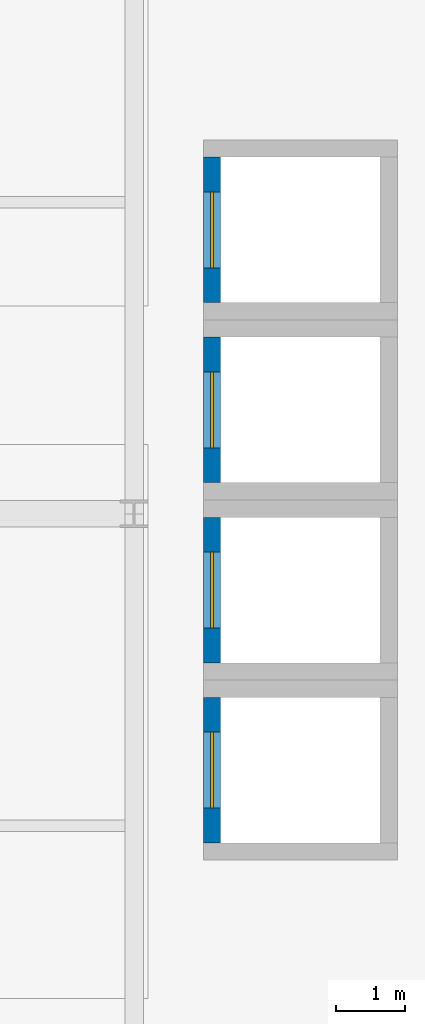
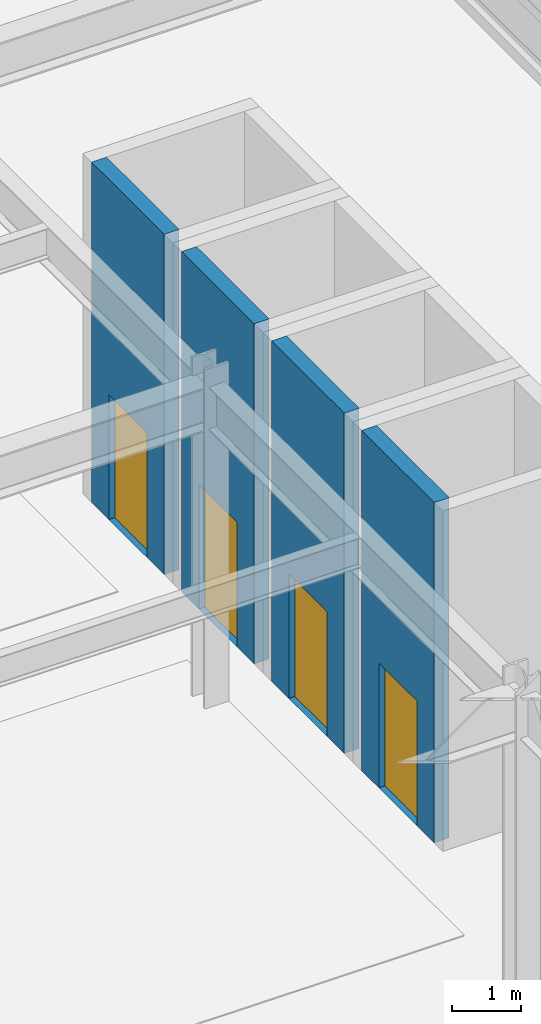
# One storey, part 85 of 105: 4 doors, 4 walls, 4 openings.
"""IFC4 building model written with IfcOpenShell, lengths in metres."""

from ifc_helpers import new_model, si_unit, direction, frame, frame_2d, origin, place, context, subcontext, project, spatial, rectangle, extrude, material, layer, layer_set, type_object, element, fill, save


model = new_model("IFC4")

# Units and contexts
model_context = context("Model", 3, precision=1e-05, world=origin(), true_north=direction((0.0, 1.0)))
body_context = subcontext(model_context, "Body", "Model", "MODEL_VIEW")
ifc_project = project(units=[si_unit("LENGTHUNIT", "METRE"), si_unit("AREAUNIT", "SQUARE_METRE"), si_unit("VOLUMEUNIT", "CUBIC_METRE"), si_unit("PLANEANGLEUNIT", "RADIAN"), si_unit("MASSUNIT", "GRAM", prefix="KILO")], contexts=[model_context])

# Site, building, storey
site_placement = place(None, origin())
site = spatial("IfcSite", under=ifc_project, at=site_placement, CompositionType="ELEMENT")
building_placement = place(site_placement, origin())
building = spatial("IfcBuilding", under=site, at=building_placement, Name="Kaldorvane Square Convention Centre", CompositionType="ELEMENT")
storey_placement = place(building_placement, frame((0.0, 0.0, 6.0)))
storey = spatial("IfcBuildingStorey", under=building, at=storey_placement, Name="L01", CompositionType="ELEMENT", Elevation=6.0)

# Wall, opening, door
ifc_material_1 = material(Name="Concrete f'c = 55 MPa (Normalweight)", Category="concrete")
ifc_layer = layer(ifc_material_1, 0.3000030517578125)
ifc_layer_set = layer_set([ifc_layer], Name="Concrete f'c = 55 MPa (Normalweight)")
wall_type = type_object("IfcWallType", Name="WL-SHAFT-300", PredefinedType="SHEAR", material=ifc_layer_set)
wall_1_placement = place(storey_placement, frame((127.125, 42.350006103515625, 0.0), z_axis=(0.0, 0.0, 1.0), x_axis=(0.0, -1.0, 0.0)))
wall_1 = element("IfcWall", 1, at=wall_1_placement, inside=storey, type_object=wall_type, Name="Core Enclosure Wall lift:EL-C1-W (L01)", PredefinedType="SHEAR", context=body_context, shape_type="SweptSolid", body=[
    extrude(rectangle(XDim=2.100006103515625, YDim=0.25, at=frame_2d((1.0500030517578125, 0.0))), origin(), (0.0, 0.0, 1.0), 6.0),
])
opening_1_placement = place(wall_1_placement, frame((0.5, 0.0, 0.0)))
opening_1 = element("IfcOpeningElement", 2, at=opening_1_placement, cuts=wall_1, Name="Opening LD-01", PredefinedType="OPENING", context=body_context, shape_type="SweptSolid", body=[
    extrude(rectangle(XDim=1.100006103515625, YDim=2.1999969482421875, at=frame_2d((0.5500030517578125, 1.100006103515625))), frame((0.0, 0.1399993896484375, 0.0), z_axis=(0.0, -1.0, 0.0), x_axis=(1.0, 0.0, 0.0)), (0.0, 0.0, 1.0), 0.279998779296875),
])
ifc_material_2 = material(Name="Stainless Steel Elevator Door Assembly", Category="steel")
door_type = type_object("IfcDoorType", Name="DR-LIFT-1100", OperationType="DOUBLE_DOOR_SLIDING", PredefinedType="DOOR", material=ifc_material_2)
door_1_placement = place(opening_1_placement, origin())
door_1 = element("IfcDoor", 3, at=door_1_placement, inside=storey, type_object=door_type, Name="Elevator Landing Door EL-C1 (L01)", OperationType="DOUBLE_DOOR_SLIDING", OverallHeight=2.1999969482421875, OverallWidth=1.100006103515625, PredefinedType="DOOR", context=body_context, shape_type="SweptSolid", body=[
    extrude(rectangle(XDim=1.100006103515625, YDim=2.1999969482421875, at=frame_2d((0.5500030517578125, 1.100006103515625))), frame((0.0, 0.024993896484375, 0.0), z_axis=(0.0, -1.0, 0.0), x_axis=(1.0, 0.0, 0.0)), (0.0, 0.0, 1.0), 0.0500030517578125),
])
fill(opening_1, door_1)

wall_2_placement = place(storey_placement, frame((127.125, 44.94999694824219, 0.0), z_axis=(0.0, 0.0, 1.0), x_axis=(0.0, -1.0, 0.0)))
wall_2 = element("IfcWall", 4, at=wall_2_placement, inside=storey, type_object=wall_type, Name="Core Enclosure Wall lift:EL-C2-W (L01)", PredefinedType="SHEAR", context=body_context, shape_type="SweptSolid", body=[
    extrude(rectangle(XDim=2.0999908447265625, YDim=0.25, at=frame_2d((1.04998779296875, 0.0))), origin(), (0.0, 0.0, 1.0), 6.0),
])
opening_2_placement = place(wall_2_placement, frame((0.5, 0.0, 0.0)))
opening_2 = element("IfcOpeningElement", 5, at=opening_2_placement, cuts=wall_2, Name="Opening LD-01", PredefinedType="OPENING", context=body_context, shape_type="SweptSolid", body=[
    extrude(rectangle(XDim=1.100006103515625, YDim=2.1999969482421875, at=frame_2d((0.5500030517578125, 1.100006103515625))), frame((0.0, 0.1399993896484375, 0.0), z_axis=(0.0, -1.0, 0.0), x_axis=(1.0, 0.0, 0.0)), (0.0, 0.0, 1.0), 0.279998779296875),
])
door_2_placement = place(opening_2_placement, origin())
door_2 = element("IfcDoor", 6, at=door_2_placement, inside=storey, type_object=door_type, Name="Elevator Landing Door EL-C2 (L01)", OperationType="DOUBLE_DOOR_SLIDING", OverallHeight=2.1999969482421875, OverallWidth=1.100006103515625, PredefinedType="DOOR", context=body_context, shape_type="SweptSolid", body=[
    extrude(rectangle(XDim=1.100006103515625, YDim=2.1999969482421875, at=frame_2d((0.5500030517578125, 1.100006103515625))), frame((0.0, 0.024993896484375, 0.0), z_axis=(0.0, -1.0, 0.0), x_axis=(1.0, 0.0, 0.0)), (0.0, 0.0, 1.0), 0.0500030517578125),
])
fill(opening_2, door_2)

wall_3_placement = place(storey_placement, frame((127.125, 47.55000305175781, 0.0), z_axis=(0.0, 0.0, 1.0), x_axis=(0.0, -1.0, 0.0)))
wall_3 = element("IfcWall", 7, at=wall_3_placement, inside=storey, type_object=wall_type, Name="Core Enclosure Wall lift:EL-C3-W (L01)", PredefinedType="SHEAR", context=body_context, shape_type="SweptSolid", body=[
    extrude(rectangle(XDim=2.100006103515625, YDim=0.25, at=frame_2d((1.0500030517578125, 0.0))), origin(), (0.0, 0.0, 1.0), 6.0),
])
opening_3_placement = place(wall_3_placement, frame((0.5, 0.0, 0.0)))
opening_3 = element("IfcOpeningElement", 8, at=opening_3_placement, cuts=wall_3, Name="Opening LD-01", PredefinedType="OPENING", context=body_context, shape_type="SweptSolid", body=[
    extrude(rectangle(XDim=1.100006103515625, YDim=2.1999969482421875, at=frame_2d((0.5500030517578125, 1.100006103515625))), frame((0.0, 0.1399993896484375, 0.0), z_axis=(0.0, -1.0, 0.0), x_axis=(1.0, 0.0, 0.0)), (0.0, 0.0, 1.0), 0.279998779296875),
])
door_3_placement = place(opening_3_placement, origin())
door_3 = element("IfcDoor", 9, at=door_3_placement, inside=storey, type_object=door_type, Name="Elevator Landing Door EL-C3 (L01)", OperationType="DOUBLE_DOOR_SLIDING", OverallHeight=2.1999969482421875, OverallWidth=1.100006103515625, PredefinedType="DOOR", context=body_context, shape_type="SweptSolid", body=[
    extrude(rectangle(XDim=1.100006103515625, YDim=2.1999969482421875, at=frame_2d((0.5500030517578125, 1.100006103515625))), frame((0.0, 0.024993896484375, 0.0), z_axis=(0.0, -1.0, 0.0), x_axis=(1.0, 0.0, 0.0)), (0.0, 0.0, 1.0), 0.0500030517578125),
])
fill(opening_3, door_3)

wall_4_placement = place(storey_placement, frame((127.125, 50.149993896484375, 0.0), z_axis=(0.0, 0.0, 1.0), x_axis=(0.0, -1.0, 0.0)))
wall_4 = element("IfcWall", 10, at=wall_4_placement, inside=storey, type_object=wall_type, Name="Core Enclosure Wall lift:EL-C4-W (L01)", PredefinedType="SHEAR", context=body_context, shape_type="SweptSolid", body=[
    extrude(rectangle(XDim=2.0999908447265625, YDim=0.25, at=frame_2d((1.04998779296875, 0.0))), origin(), (0.0, 0.0, 1.0), 6.0),
])
opening_4_placement = place(wall_4_placement, frame((0.5, 0.0, 0.0)))
opening_4 = element("IfcOpeningElement", 11, at=opening_4_placement, cuts=wall_4, Name="Opening LD-01", PredefinedType="OPENING", context=body_context, shape_type="SweptSolid", body=[
    extrude(rectangle(XDim=1.100006103515625, YDim=2.1999969482421875, at=frame_2d((0.5500030517578125, 1.100006103515625))), frame((0.0, 0.1399993896484375, 0.0), z_axis=(0.0, -1.0, 0.0), x_axis=(1.0, 0.0, 0.0)), (0.0, 0.0, 1.0), 0.279998779296875),
])
door_4_placement = place(opening_4_placement, origin())
door_4 = element("IfcDoor", 12, at=door_4_placement, inside=storey, type_object=door_type, Name="Elevator Landing Door EL-C4 (L01)", OperationType="DOUBLE_DOOR_SLIDING", OverallHeight=2.1999969482421875, OverallWidth=1.100006103515625, PredefinedType="DOOR", context=body_context, shape_type="SweptSolid", body=[
    extrude(rectangle(XDim=1.100006103515625, YDim=2.1999969482421875, at=frame_2d((0.5500030517578125, 1.100006103515625))), frame((0.0, 0.024993896484375, 0.0), z_axis=(0.0, -1.0, 0.0), x_axis=(1.0, 0.0, 0.0)), (0.0, 0.0, 1.0), 0.0500030517578125),
])
fill(opening_4, door_4)

save(model, "model.ifc")
